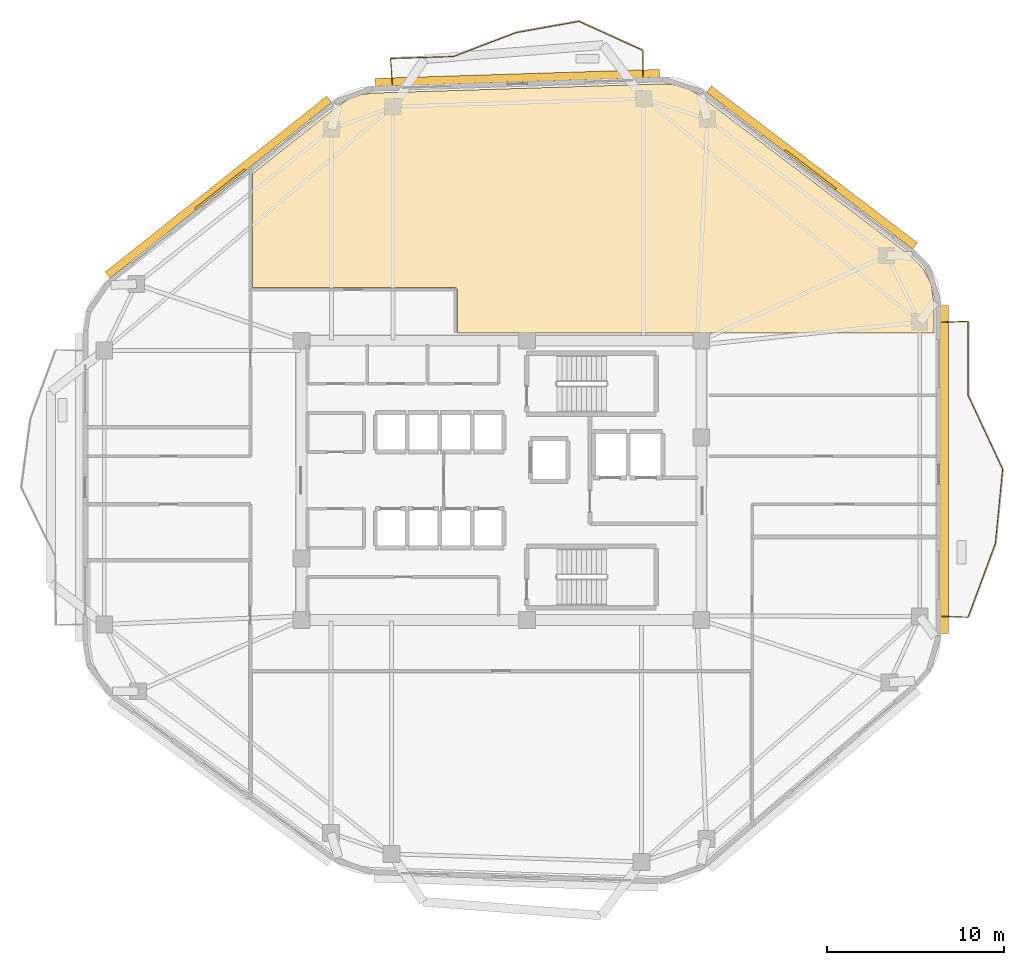
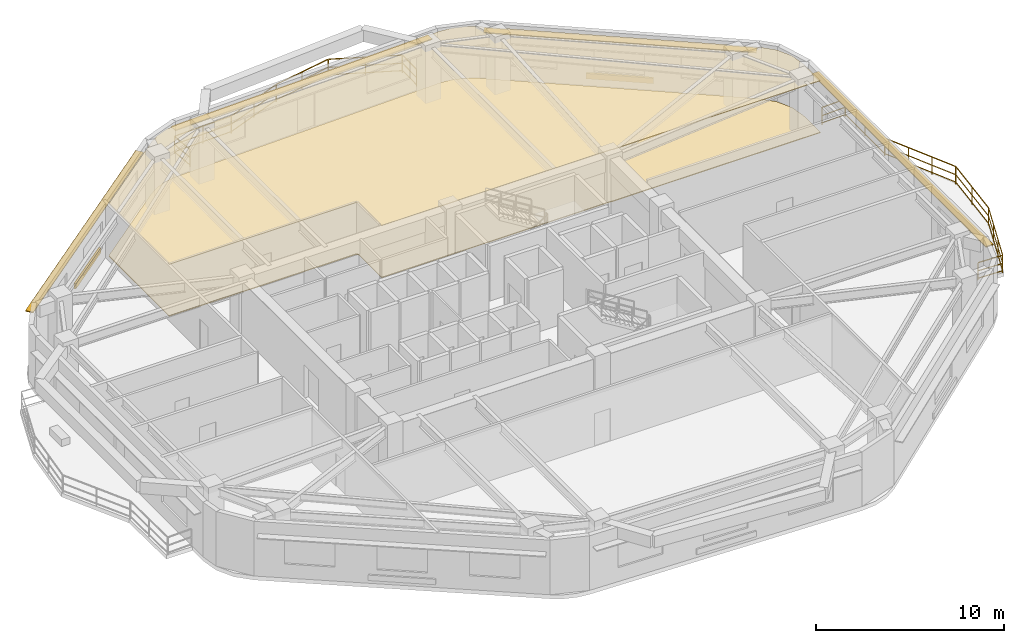
# One storey, part 8 of 8: 12 railings, 6 shading devices, 2 coverings.
"""IFC4 building model written with IfcOpenShell, lengths in metres."""

from ifc_helpers import new_model, si_unit, direction, frame, origin, origin_2d, place, context, subcontext, project, spatial, polyline, rectangle, outline, extrude, material, layer, layer_set, type_object, element, save


model = new_model("IFC4")

# Units and contexts
model_context = context("Model", 3, precision=1e-05, world=origin(), true_north=direction((0.0, 1.0)))
body_context = subcontext(model_context, "Body", "Model", "MODEL_VIEW")
ifc_project = project(units=[si_unit("LENGTHUNIT", "METRE"), si_unit("AREAUNIT", "SQUARE_METRE"), si_unit("VOLUMEUNIT", "CUBIC_METRE"), si_unit("PLANEANGLEUNIT", "RADIAN"), si_unit("MASSUNIT", "GRAM", prefix="KILO")], contexts=[model_context])

# Site, building, storey
site_placement = place(None, origin())
site = spatial("IfcSite", under=ifc_project, at=site_placement, CompositionType="ELEMENT")
building_placement = place(site_placement, origin())
building = spatial("IfcBuilding", under=site, at=building_placement, Name="Zulverin Broadcast Headquarters", CompositionType="ELEMENT")
storey_placement = place(building_placement, frame((0.0, 0.0, 174.39990234375)))
storey = spatial("IfcBuildingStorey", under=building, at=storey_placement, Name="L44", CompositionType="ELEMENT", Elevation=174.39990234375)

# Coverings
ifc_material_1 = material(Name="Perforated pale-metal acoustic baffle ceiling", Category="aluminium")
ifc_layer_1 = layer(ifc_material_1, 0.0400390625, Name="Perforated pale-metal acoustic baffle ceiling", Category="aluminium")
ifc_layer_set_1 = layer_set([ifc_layer_1], Name="Perforated pale-metal acoustic baffle ceiling")
covering_type_1 = type_object("IfcCoveringType", Name="COV-CEIL-ACOU", PredefinedType="CEILING", material=ifc_layer_set_1)
covering_1_placement = place(storey_placement, frame((0.0, 0.0, 3.360107421875)))
element("IfcCovering", 1, at=covering_1_placement, inside=storey, type_object=covering_type_1, Name="L44 Acoustic Baffle Ceiling 01", PredefinedType="CEILING", context=body_context, shape_type="SweptSolid", body=[
    extrude(outline(polyline([(28.39599609375, 46.7080078125), (27.803955078125, 46.33203125), (22.971923828125, 42.5), (22.968017578125, 36.072021484375), (34.360107421875, 36.068115234375), (34.3759765625, 36.068115234375), (34.387939453125, 36.068115234375), (34.39990234375, 36.06396484375), (34.407958984375, 36.06396484375), (34.419921875, 36.06005859375), (34.427978515625, 36.055908203125), (34.43603515625, 36.052001953125), (34.447998046875, 36.0439453125), (34.4599609375, 36.035888671875), (34.468017578125, 36.028076171875), (34.47607421875, 36.02001953125), (34.48388671875, 36.011962890625), (34.491943359375, 36.0), (34.5, 35.988037109375), (34.50390625, 35.97998046875), (34.508056640625, 35.971923828125), (34.511962890625, 35.964111328125), (34.51611328125, 35.951904296875), (34.51611328125, 35.944091796875), (34.52001953125, 35.931884765625), (34.52001953125, 35.919921875), (34.52001953125, 33.52001953125), (48.568115234375, 33.52001953125), (48.580078125, 33.52001953125), (48.592041015625, 33.51611328125), (48.60009765625, 33.51611328125), (48.612060546875, 33.511962890625), (48.6201171875, 33.508056640625), (48.635986328125, 33.5), (61.39990234375, 33.5), (61.39990234375, 35.239990234375), (61.243896484375, 36.236083984375), (60.81201171875, 37.112060546875), (60.112060546875, 37.840087890625), (51.080078125, 44.7119140625), (48.2080078125, 46.89208984375), (47.568115234375, 47.27587890625), (46.8759765625, 47.49609375), (46.1279296875, 47.56005859375), (29.73193359375, 47.0400390625), (29.031982421875, 46.944091796875), (28.39599609375, 46.7080078125)])), origin(), (0.0, 0.0, 1.0), 0.0400390625),
])
ifc_material_2 = material(Name="Anti-static broadcast raised access flooring", Category="stone")
ifc_layer_2 = layer(ifc_material_2, 0.050048828125, Name="Anti-static broadcast raised access flooring", Category="stone")
ifc_layer_set_2 = layer_set([ifc_layer_2], Name="Anti-static broadcast raised access flooring")
covering_type_2 = type_object("IfcCoveringType", Name="COV-FLR-RAISED", PredefinedType="FLOORING", material=ifc_layer_set_2)
covering_2_placement = place(storey_placement, origin())
element("IfcCovering", 2, at=covering_2_placement, inside=storey, type_object=covering_type_2, Name="L44 Broadcast Raised Access Flooring 01", PredefinedType="FLOORING", context=body_context, shape_type="SweptSolid", body=[
    extrude(outline(polyline([(28.39599609375, 46.7080078125), (27.803955078125, 46.33203125), (22.971923828125, 42.5), (22.968017578125, 36.072021484375), (34.360107421875, 36.068115234375), (34.3759765625, 36.068115234375), (34.387939453125, 36.068115234375), (34.39990234375, 36.06396484375), (34.407958984375, 36.06396484375), (34.419921875, 36.06005859375), (34.427978515625, 36.055908203125), (34.43603515625, 36.052001953125), (34.447998046875, 36.0439453125), (34.4599609375, 36.035888671875), (34.468017578125, 36.028076171875), (34.47607421875, 36.02001953125), (34.48388671875, 36.011962890625), (34.491943359375, 36.0), (34.5, 35.988037109375), (34.50390625, 35.97998046875), (34.508056640625, 35.971923828125), (34.511962890625, 35.964111328125), (34.51611328125, 35.951904296875), (34.51611328125, 35.944091796875), (34.52001953125, 35.931884765625), (34.52001953125, 35.919921875), (34.52001953125, 33.52001953125), (48.568115234375, 33.52001953125), (48.580078125, 33.52001953125), (48.592041015625, 33.51611328125), (48.60009765625, 33.51611328125), (48.612060546875, 33.511962890625), (48.6201171875, 33.508056640625), (48.635986328125, 33.5), (61.39990234375, 33.5), (61.39990234375, 35.239990234375), (61.243896484375, 36.236083984375), (60.81201171875, 37.112060546875), (60.112060546875, 37.840087890625), (51.080078125, 44.7119140625), (48.2080078125, 46.89208984375), (47.568115234375, 47.27587890625), (46.8759765625, 47.49609375), (46.1279296875, 47.56005859375), (29.73193359375, 47.0400390625), (29.031982421875, 46.944091796875), (28.39599609375, 46.7080078125)])), origin(), (0.0, 0.0, 1.0), 0.050048828125),
])

# Railings
ifc_material_3 = material(Name="Brushed stainless steel & laminated glass balustrade", Category="steel")
railing_type = type_object("IfcRailingType", Name="RL-GUARD-1150", PredefinedType="GUARDRAIL", material=ifc_material_3)
railing_1_placement = place(storey_placement, frame((61.840087890625, 17.529296875, 0.0)))
element("IfcRailing", 3, at=railing_1_placement, inside=storey, type_object=railing_type, Name="L44 Vertical-Forest Balcony Guardrail BAL_E Segment 01", PredefinedType="GUARDRAIL", context=body_context, shape_type="SweptSolid", body=[
    extrude(rectangle(XDim=0.048095703125, YDim=0.048095703125, at=origin_2d()), frame((0.0, 0.0, 1.1259765625), z_axis=(0.99918088253, -0.040466825742, 0.0), x_axis=(0.040466825742, 0.99918088253, 0.0)), (0.0, 0.0, 1.0), 1.466064453125),
    extrude(rectangle(XDim=0.0419921875, YDim=0.0419921875, at=origin_2d()), frame((0.0, 0.0, 0.597900390625), z_axis=(0.99918088253, -0.040466825742, 0.0), x_axis=(0.040466825742, 0.99918088253, 0.0)), (0.0, 0.0, 1.0), 1.466064453125),
    extrude(rectangle(XDim=0.0419921875, YDim=0.0419921875, at=origin_2d()), frame((0.0, 0.0, 0.1201171875), z_axis=(0.99918088253, -0.040466825742, 0.0), x_axis=(0.040466825742, 0.99918088253, 0.0)), (0.0, 0.0, 1.0), 1.466064453125),
    extrude(rectangle(XDim=0.0419921875, YDim=0.0419921875, at=origin_2d()), origin(), (0.0, 0.0, 1.0), 1.101806640625),
    extrude(rectangle(XDim=0.0419921875, YDim=0.0419921875, at=origin_2d()), frame((1.46484375, -0.059326171875, 0.0)), (0.0, 0.0, 1.0), 1.101806640625),
])
railing_2_placement = place(storey_placement, frame((63.3251953125, 17.4833984375, 0.0)))
element("IfcRailing", 4, at=railing_2_placement, inside=storey, type_object=railing_type, Name="L44 Vertical-Forest Balcony Guardrail BAL_E Segment 02", PredefinedType="GUARDRAIL", context=body_context, shape_type="SweptSolid", body=[
    extrude(rectangle(XDim=0.048095703125, YDim=0.048095703125, at=origin_2d()), frame((0.0, 0.0, 1.1259765625), z_axis=(0.346902523499, 0.937901188394, 0.0), x_axis=(-0.937901188394, 0.346902523499, 0.0)), (0.0, 0.0, 1.0), 4.421875),
    extrude(rectangle(XDim=0.0419921875, YDim=0.0419921875, at=origin_2d()), frame((0.0, 0.0, 0.597900390625), z_axis=(0.346902523499, 0.937901188394, 0.0), x_axis=(-0.937901188394, 0.346902523499, 0.0)), (0.0, 0.0, 1.0), 4.421875),
    extrude(rectangle(XDim=0.0419921875, YDim=0.0419921875, at=origin_2d()), frame((0.0, 0.0, 0.1201171875), z_axis=(0.346902523499, 0.937901188394, 0.0), x_axis=(-0.937901188394, 0.346902523499, 0.0)), (0.0, 0.0, 1.0), 4.421875),
    extrude(rectangle(XDim=0.0419921875, YDim=0.0419921875, at=origin_2d()), origin(), (0.0, 0.0, 1.0), 1.101806640625),
    extrude(rectangle(XDim=0.0419921875, YDim=0.0419921875, at=origin_2d()), frame((0.51123046875, 1.38232421875, 0.0)), (0.0, 0.0, 1.0), 1.101806640625),
    extrude(rectangle(XDim=0.0419921875, YDim=0.0419921875, at=origin_2d()), frame((1.022705078125, 2.764892578125, 0.0)), (0.0, 0.0, 1.0), 1.101806640625),
    extrude(rectangle(XDim=0.0419921875, YDim=0.0419921875, at=origin_2d()), frame((1.533935546875, 4.147216796875, 0.0)), (0.0, 0.0, 1.0), 1.101806640625),
])
railing_3_placement = place(storey_placement, frame((64.86572265625, 21.65966796875, 0.0)))
element("IfcRailing", 5, at=railing_3_placement, inside=storey, type_object=railing_type, Name="L44 Vertical-Forest Balcony Guardrail BAL_E Segment 03", PredefinedType="GUARDRAIL", context=body_context, shape_type="SweptSolid", body=[
    extrude(rectangle(XDim=0.048095703125, YDim=0.048095703125, at=origin_2d()), frame((0.0, 0.0, 1.1259765625), z_axis=(0.096711941709, 0.995312413432, 0.0), x_axis=(-0.995312413432, 0.096711941709, 0.0)), (0.0, 0.0, 1.0), 4.165283203125),
    extrude(rectangle(XDim=0.0419921875, YDim=0.0419921875, at=origin_2d()), frame((0.0, 0.0, 0.597900390625), z_axis=(0.096711941709, 0.995312413432, 0.0), x_axis=(-0.995312413432, 0.096711941709, 0.0)), (0.0, 0.0, 1.0), 4.165283203125),
    extrude(rectangle(XDim=0.0419921875, YDim=0.0419921875, at=origin_2d()), frame((0.0, 0.0, 0.1201171875), z_axis=(0.096711941709, 0.995312413432, 0.0), x_axis=(-0.995312413432, 0.096711941709, 0.0)), (0.0, 0.0, 1.0), 4.165283203125),
    extrude(rectangle(XDim=0.0419921875, YDim=0.0419921875, at=origin_2d()), origin(), (0.0, 0.0, 1.0), 1.101806640625),
    extrude(rectangle(XDim=0.0419921875, YDim=0.0419921875, at=origin_2d()), frame((0.201416015625, 2.07275390625, 0.0)), (0.0, 0.0, 1.0), 1.101806640625),
    extrude(rectangle(XDim=0.0419921875, YDim=0.0419921875, at=origin_2d()), frame((0.40283203125, 4.145751953125, 0.0)), (0.0, 0.0, 1.0), 1.101806640625),
])
railing_4_placement = place(storey_placement, frame((65.263671875, 25.833984375, 0.0)))
element("IfcRailing", 6, at=railing_4_placement, inside=storey, type_object=railing_type, Name="L44 Vertical-Forest Balcony Guardrail BAL_E Segment 04", PredefinedType="GUARDRAIL", context=body_context, shape_type="SweptSolid", body=[
    extrude(rectangle(XDim=0.048095703125, YDim=0.048095703125, at=origin_2d()), frame((0.0, 0.0, 1.1259765625), z_axis=(-0.423121903643, 0.906072764549, 0.0), x_axis=(-0.906072764549, -0.423121903643, 0.0)), (0.0, 0.0, 1.0), 4.578369140625),
    extrude(rectangle(XDim=0.0419921875, YDim=0.0419921875, at=origin_2d()), frame((0.0, 0.0, 0.597900390625), z_axis=(-0.423121903643, 0.906072764549, 0.0), x_axis=(-0.906072764549, -0.423121903643, 0.0)), (0.0, 0.0, 1.0), 4.578369140625),
    extrude(rectangle(XDim=0.0419921875, YDim=0.0419921875, at=origin_2d()), frame((0.0, 0.0, 0.1201171875), z_axis=(-0.423121903643, 0.906072764549, 0.0), x_axis=(-0.906072764549, -0.423121903643, 0.0)), (0.0, 0.0, 1.0), 4.578369140625),
    extrude(rectangle(XDim=0.0419921875, YDim=0.0419921875, at=origin_2d()), origin(), (0.0, 0.0, 1.0), 1.101806640625),
    extrude(rectangle(XDim=0.0419921875, YDim=0.0419921875, at=origin_2d()), frame((-0.645751953125, 1.3828125, 0.0)), (0.0, 0.0, 1.0), 1.101806640625),
    extrude(rectangle(XDim=0.0419921875, YDim=0.0419921875, at=origin_2d()), frame((-1.29150390625, 2.765625, 0.0)), (0.0, 0.0, 1.0), 1.101806640625),
    extrude(rectangle(XDim=0.0419921875, YDim=0.0419921875, at=origin_2d()), frame((-1.937255859375, 4.1484375, 0.0)), (0.0, 0.0, 1.0), 1.101806640625),
])
railing_5_placement = place(storey_placement, frame((63.320068359375, 30.010986328125, 0.0)))
element("IfcRailing", 7, at=railing_5_placement, inside=storey, type_object=railing_type, Name="L44 Vertical-Forest Balcony Guardrail BAL_E Segment 05", PredefinedType="GUARDRAIL", context=body_context, shape_type="SweptSolid", body=[
    extrude(rectangle(XDim=0.048095703125, YDim=0.048095703125, at=origin_2d()), frame((0.0, 0.0, 1.1259765625), z_axis=(0.0, 1.0, 0.0), x_axis=(-1.0, 0.0, 0.0)), (0.0, 0.0, 1.0), 4.1455078125),
    extrude(rectangle(XDim=0.0419921875, YDim=0.0419921875, at=origin_2d()), frame((0.0, 0.0, 0.597900390625), z_axis=(0.0, 1.0, 0.0), x_axis=(-1.0, 0.0, 0.0)), (0.0, 0.0, 1.0), 4.1455078125),
    extrude(rectangle(XDim=0.0419921875, YDim=0.0419921875, at=origin_2d()), frame((0.0, 0.0, 0.1201171875), z_axis=(0.0, 1.0, 0.0), x_axis=(-1.0, 0.0, 0.0)), (0.0, 0.0, 1.0), 4.1455078125),
    extrude(rectangle(XDim=0.0419921875, YDim=0.0419921875, at=origin_2d()), origin(), (0.0, 0.0, 1.0), 1.101806640625),
    extrude(rectangle(XDim=0.0419921875, YDim=0.0419921875, at=origin_2d()), frame((0.0, 2.07275390625, 0.0)), (0.0, 0.0, 1.0), 1.101806640625),
    extrude(rectangle(XDim=0.0419921875, YDim=0.0419921875, at=origin_2d()), frame((0.0, 4.1455078125, 0.0)), (0.0, 0.0, 1.0), 1.101806640625),
])
railing_6_placement = place(storey_placement, frame((63.304931640625, 34.1708984375, 0.0)))
element("IfcRailing", 8, at=railing_6_placement, inside=storey, type_object=railing_type, Name="L44 Vertical-Forest Balcony Guardrail BAL_E Segment 06", PredefinedType="GUARDRAIL", context=body_context, shape_type="SweptSolid", body=[
    extrude(rectangle(XDim=0.048095703125, YDim=0.048095703125, at=origin_2d()), frame((0.0, 0.0, 1.1259765625), z_axis=(-0.99918088253, -0.040466825742, 0.0), x_axis=(0.040466825742, -0.99918088253, 0.0)), (0.0, 0.0, 1.0), 1.466064453125),
    extrude(rectangle(XDim=0.0419921875, YDim=0.0419921875, at=origin_2d()), frame((0.0, 0.0, 0.597900390625), z_axis=(-0.99918088253, -0.040466825742, 0.0), x_axis=(0.040466825742, -0.99918088253, 0.0)), (0.0, 0.0, 1.0), 1.466064453125),
    extrude(rectangle(XDim=0.0419921875, YDim=0.0419921875, at=origin_2d()), frame((0.0, 0.0, 0.1201171875), z_axis=(-0.99918088253, -0.040466825742, 0.0), x_axis=(0.040466825742, -0.99918088253, 0.0)), (0.0, 0.0, 1.0), 1.466064453125),
    extrude(rectangle(XDim=0.0419921875, YDim=0.0419921875, at=origin_2d()), origin(), (0.0, 0.0, 1.0), 1.101806640625),
    extrude(rectangle(XDim=0.0419921875, YDim=0.0419921875, at=origin_2d()), frame((-1.46484375, -0.059326171875, 0.0)), (0.0, 0.0, 1.0), 1.101806640625),
])
railing_7_placement = place(storey_placement, frame((44.978271484375, 47.962646484375, 0.0)))
element("IfcRailing", 9, at=railing_7_placement, inside=storey, type_object=railing_type, Name="L44 Vertical-Forest Balcony Guardrail BAL_N Segment 01", PredefinedType="GUARDRAIL", context=body_context, shape_type="SweptSolid", body=[
    extrude(rectangle(XDim=0.048095703125, YDim=0.048095703125, at=origin_2d()), frame((0.0, 0.0, 1.1259765625), z_axis=(0.008825634609, 0.999961053328, 0.0), x_axis=(-0.999961053328, 0.008825634609, 0.0)), (0.0, 0.0, 1.0), 1.466064453125),
    extrude(rectangle(XDim=0.0419921875, YDim=0.0419921875, at=origin_2d()), frame((0.0, 0.0, 0.597900390625), z_axis=(0.008825634609, 0.999961053328, 0.0), x_axis=(-0.999961053328, 0.008825634609, 0.0)), (0.0, 0.0, 1.0), 1.466064453125),
    extrude(rectangle(XDim=0.0419921875, YDim=0.0419921875, at=origin_2d()), frame((0.0, 0.0, 0.1201171875), z_axis=(0.008825634609, 0.999961053328, 0.0), x_axis=(-0.999961053328, 0.008825634609, 0.0)), (0.0, 0.0, 1.0), 1.466064453125),
    extrude(rectangle(XDim=0.0419921875, YDim=0.0419921875, at=origin_2d()), origin(), (0.0, 0.0, 1.0), 1.101806640625),
    extrude(rectangle(XDim=0.0419921875, YDim=0.0419921875, at=origin_2d()), frame((0.012939453125, 1.466064453125, 0.0)), (0.0, 0.0, 1.0), 1.101806640625),
])
railing_8_placement = place(storey_placement, frame((44.9775390625, 49.449951171875, 0.0)))
element("IfcRailing", 10, at=railing_8_placement, inside=storey, type_object=railing_type, Name="L44 Vertical-Forest Balcony Guardrail BAL_N Segment 02", PredefinedType="GUARDRAIL", context=body_context, shape_type="SweptSolid", body=[
    extrude(rectangle(XDim=0.048095703125, YDim=0.048095703125, at=origin_2d()), frame((0.0, 0.0, 1.1259765625), z_axis=(-0.910743694434, 0.412972060858, 0.0), x_axis=(-0.412972060858, -0.910743694434, 0.0)), (0.0, 0.0, 1.0), 3.94140625),
    extrude(rectangle(XDim=0.0419921875, YDim=0.0419921875, at=origin_2d()), frame((0.0, 0.0, 0.597900390625), z_axis=(-0.910743694434, 0.412972060858, 0.0), x_axis=(-0.412972060858, -0.910743694434, 0.0)), (0.0, 0.0, 1.0), 3.94140625),
    extrude(rectangle(XDim=0.0419921875, YDim=0.0419921875, at=origin_2d()), frame((0.0, 0.0, 0.1201171875), z_axis=(-0.910743694434, 0.412972060858, 0.0), x_axis=(-0.412972060858, -0.910743694434, 0.0)), (0.0, 0.0, 1.0), 3.94140625),
    extrude(rectangle(XDim=0.0419921875, YDim=0.0419921875, at=origin_2d()), origin(), (0.0, 0.0, 1.0), 1.101806640625),
    extrude(rectangle(XDim=0.0419921875, YDim=0.0419921875, at=origin_2d()), frame((-1.794921875, 0.81396484375, 0.0)), (0.0, 0.0, 1.0), 1.101806640625),
    extrude(rectangle(XDim=0.0419921875, YDim=0.0419921875, at=origin_2d()), frame((-3.589599609375, 1.627685546875, 0.0)), (0.0, 0.0, 1.0), 1.101806640625),
])
railing_9_placement = place(storey_placement, frame((41.359619140625, 51.081298828125, 0.0)))
element("IfcRailing", 11, at=railing_9_placement, inside=storey, type_object=railing_type, Name="L44 Vertical-Forest Balcony Guardrail BAL_N Segment 03", PredefinedType="GUARDRAIL", context=body_context, shape_type="SweptSolid", body=[
    extrude(rectangle(XDim=0.048095703125, YDim=0.048095703125, at=origin_2d()), frame((0.0, 0.0, 1.1259765625), z_axis=(-0.984238578002, -0.176845756445, 0.0), x_axis=(0.176845756445, -0.984238578002, 0.0)), (0.0, 0.0, 1.0), 3.571533203125),
    extrude(rectangle(XDim=0.0419921875, YDim=0.0419921875, at=origin_2d()), frame((0.0, 0.0, 0.597900390625), z_axis=(-0.984238578002, -0.176845756445, 0.0), x_axis=(0.176845756445, -0.984238578002, 0.0)), (0.0, 0.0, 1.0), 3.571533203125),
    extrude(rectangle(XDim=0.0419921875, YDim=0.0419921875, at=origin_2d()), frame((0.0, 0.0, 0.1201171875), z_axis=(-0.984238578002, -0.176845756445, 0.0), x_axis=(0.176845756445, -0.984238578002, 0.0)), (0.0, 0.0, 1.0), 3.571533203125),
    extrude(rectangle(XDim=0.0419921875, YDim=0.0419921875, at=origin_2d()), origin(), (0.0, 0.0, 1.0), 1.101806640625),
    extrude(rectangle(XDim=0.0419921875, YDim=0.0419921875, at=origin_2d()), frame((-1.757568359375, -0.31591796875, 0.0)), (0.0, 0.0, 1.0), 1.101806640625),
    extrude(rectangle(XDim=0.0419921875, YDim=0.0419921875, at=origin_2d()), frame((-3.51513671875, -0.631591796875, 0.0)), (0.0, 0.0, 1.0), 1.101806640625),
])
railing_10_placement = place(storey_placement, frame((37.815673828125, 50.44189453125, 0.0)))
element("IfcRailing", 12, at=railing_10_placement, inside=storey, type_object=railing_type, Name="L44 Vertical-Forest Balcony Guardrail BAL_N Segment 04", PredefinedType="GUARDRAIL", context=body_context, shape_type="SweptSolid", body=[
    extrude(rectangle(XDim=0.048095703125, YDim=0.048095703125, at=origin_2d()), frame((0.0, 0.0, 1.1259765625), z_axis=(-0.934434978955, -0.356133781192, 0.0), x_axis=(0.356133781192, -0.934434978955, 0.0)), (0.0, 0.0, 1.0), 3.739501953125),
    extrude(rectangle(XDim=0.0419921875, YDim=0.0419921875, at=origin_2d()), frame((0.0, 0.0, 0.597900390625), z_axis=(-0.934434978955, -0.356133781192, 0.0), x_axis=(0.356133781192, -0.934434978955, 0.0)), (0.0, 0.0, 1.0), 3.739501953125),
    extrude(rectangle(XDim=0.0419921875, YDim=0.0419921875, at=origin_2d()), frame((0.0, 0.0, 0.1201171875), z_axis=(-0.934434978955, -0.356133781192, 0.0), x_axis=(0.356133781192, -0.934434978955, 0.0)), (0.0, 0.0, 1.0), 3.739501953125),
    extrude(rectangle(XDim=0.0419921875, YDim=0.0419921875, at=origin_2d()), origin(), (0.0, 0.0, 1.0), 1.101806640625),
    extrude(rectangle(XDim=0.0419921875, YDim=0.0419921875, at=origin_2d()), frame((-1.7470703125, -0.666015625, 0.0)), (0.0, 0.0, 1.0), 1.101806640625),
    extrude(rectangle(XDim=0.0419921875, YDim=0.0419921875, at=origin_2d()), frame((-3.494384765625, -1.331787109375, 0.0)), (0.0, 0.0, 1.0), 1.101806640625),
])
railing_11_placement = place(storey_placement, frame((34.292236328125, 49.1044921875, 0.0)))
element("IfcRailing", 13, at=railing_11_placement, inside=storey, type_object=railing_type, Name="L44 Vertical-Forest Balcony Guardrail BAL_N Segment 05", PredefinedType="GUARDRAIL", context=body_context, shape_type="SweptSolid", body=[
    extrude(rectangle(XDim=0.048095703125, YDim=0.048095703125, at=origin_2d()), frame((0.0, 0.0, 1.1259765625), z_axis=(-0.999496857869, -0.031717993485, 0.0), x_axis=(0.031717993485, -0.999496857869, 0.0)), (0.0, 0.0, 1.0), 3.532958984375),
    extrude(rectangle(XDim=0.0419921875, YDim=0.0419921875, at=origin_2d()), frame((0.0, 0.0, 0.597900390625), z_axis=(-0.999496857869, -0.031717993485, 0.0), x_axis=(0.031717993485, -0.999496857869, 0.0)), (0.0, 0.0, 1.0), 3.532958984375),
    extrude(rectangle(XDim=0.0419921875, YDim=0.0419921875, at=origin_2d()), frame((0.0, 0.0, 0.1201171875), z_axis=(-0.999496857869, -0.031717993485, 0.0), x_axis=(0.031717993485, -0.999496857869, 0.0)), (0.0, 0.0, 1.0), 3.532958984375),
    extrude(rectangle(XDim=0.0419921875, YDim=0.0419921875, at=origin_2d()), origin(), (0.0, 0.0, 1.0), 1.101806640625),
    extrude(rectangle(XDim=0.0419921875, YDim=0.0419921875, at=origin_2d()), frame((-1.765625, -0.05615234375, 0.0)), (0.0, 0.0, 1.0), 1.101806640625),
    extrude(rectangle(XDim=0.0419921875, YDim=0.0419921875, at=origin_2d()), frame((-3.53125, -0.112060546875, 0.0)), (0.0, 0.0, 1.0), 1.101806640625),
])
railing_12_placement = place(storey_placement, frame((30.7470703125, 48.976806640625, 0.0)))
element("IfcRailing", 14, at=railing_12_placement, inside=storey, type_object=railing_type, Name="L44 Vertical-Forest Balcony Guardrail BAL_N Segment 06", PredefinedType="GUARDRAIL", context=body_context, shape_type="SweptSolid", body=[
    extrude(rectangle(XDim=0.048095703125, YDim=0.048095703125, at=origin_2d()), frame((0.0, 0.0, 1.1259765625), z_axis=(0.072110992432, -0.997396613575, 0.0), x_axis=(0.997396613575, 0.072110992432, 0.0)), (0.0, 0.0, 1.0), 1.466064453125),
    extrude(rectangle(XDim=0.0419921875, YDim=0.0419921875, at=origin_2d()), frame((0.0, 0.0, 0.597900390625), z_axis=(0.072110992432, -0.997396613575, 0.0), x_axis=(0.997396613575, 0.072110992432, 0.0)), (0.0, 0.0, 1.0), 1.466064453125),
    extrude(rectangle(XDim=0.0419921875, YDim=0.0419921875, at=origin_2d()), frame((0.0, 0.0, 0.1201171875), z_axis=(0.072110992432, -0.997396613575, 0.0), x_axis=(0.997396613575, 0.072110992432, 0.0)), (0.0, 0.0, 1.0), 1.466064453125),
    extrude(rectangle(XDim=0.0419921875, YDim=0.0419921875, at=origin_2d()), origin(), (0.0, 0.0, 1.0), 1.101806640625),
    extrude(rectangle(XDim=0.0419921875, YDim=0.0419921875, at=origin_2d()), frame((0.105712890625, -1.462158203125, 0.0)), (0.0, 0.0, 1.0), 1.101806640625),
])

# Shading devices
ifc_material_4 = material(Name="Anodized pale-metal aluminium acoustic louvre", Category="aluminium")
shading_device_type_1 = type_object("IfcShadingDeviceType", Name="SHD-LOUVRE-350", PredefinedType="USERDEFINED", material=ifc_material_4)
for number, where, z_axis, x_axis, name in (
    (15, (54.4306640625, 42.713134765625, 0.2451171875), (0.0, 0.0, 1.0), (-0.795836111996, 0.605512083152, 0.0), "L44 Spandrel Intake Louvre 4"),
    (16, (21.1416015625, 41.607421875, 0.2451171875), (0.0, 0.0, 1.0), (-0.783270473924, -0.621681079556, 0.0), "L44 Spandrel Intake Louvre 6"),
):
    element("IfcShadingDevice", number, at=place(storey_placement, frame(where, z_axis=z_axis, x_axis=x_axis)), inside=storey, type_object=shading_device_type_1, Name=name, ObjectType="LOUVRE", PredefinedType="USERDEFINED", context=body_context, shape_type="SweptSolid", body=[
        extrude(rectangle(XDim=3.60009765625, YDim=0.1201171875, at=origin_2d()), origin(), (0.0, 0.0, 1.0), 0.35009765625),
    ])
ifc_material_5 = material(Name="Anodized pale-metal aluminium sunshade", Category="aluminium")
ifc_layer_3 = layer(ifc_material_5, 0.06005859375, Name="Anodized pale-metal aluminium sunshade", Category="aluminium")
ifc_layer_set_3 = layer_set([ifc_layer_3], Name="Anodized pale-metal aluminium sunshade")
shading_device_type_2 = type_object("IfcShadingDeviceType", Name="SS-01_PALE_METAL_ALUMINIUM_SUNSHADE", PredefinedType="USERDEFINED", material=ifc_layer_set_3)
shading_device_1_placement = place(storey_placement, frame((62.0, 25.8203125, 2.7099609375), z_axis=(0.0, 0.0, 1.0), x_axis=(0.0, 1.0, 0.0)))
element("IfcShadingDevice", 17, at=shading_device_1_placement, inside=storey, type_object=shading_device_type_2, Name="L44 Horizontal Pale-Metal Sunshade Band 3", ObjectType="SUNSHADE", PredefinedType="USERDEFINED", context=body_context, shape_type="SweptSolid", body=[
    extrude(rectangle(XDim=18.502197265625, YDim=0.449951171875, at=origin_2d()), origin(), (0.0, 0.0, 1.0), 0.06005859375),
])
shading_device_2_placement = place(storey_placement, frame((54.527587890625, 42.840576171875, 2.7099609375), z_axis=(0.0, 0.0, 1.0), x_axis=(-0.795836111996, 0.605512083152, 0.0)))
element("IfcShadingDevice", 18, at=shading_device_2_placement, inside=storey, type_object=shading_device_type_2, Name="L44 Horizontal Pale-Metal Sunshade Band 4", ObjectType="SUNSHADE", PredefinedType="USERDEFINED", context=body_context, shape_type="SweptSolid", body=[
    extrude(rectangle(XDim=14.61181640625, YDim=0.449951171875, at=origin_2d()), origin(), (0.0, 0.0, 1.0), 0.06005859375),
])
shading_device_3_placement = place(storey_placement, frame((37.910400390625, 47.8984375, 2.7099609375), z_axis=(0.0, 0.0, 1.0), x_axis=(-0.999497141269, -0.031709061709, 0.0)))
element("IfcShadingDevice", 19, at=shading_device_3_placement, inside=storey, type_object=shading_device_type_2, Name="L44 Horizontal Pale-Metal Sunshade Band 5", ObjectType="SUNSHADE", PredefinedType="USERDEFINED", context=body_context, shape_type="SweptSolid", body=[
    extrude(rectangle(XDim=16.052490234375, YDim=0.449951171875, at=origin_2d()), origin(), (0.0, 0.0, 1.0), 0.06005859375),
])
shading_device_4_placement = place(storey_placement, frame((21.0419921875, 41.73291015625, 2.7099609375), z_axis=(0.0, 0.0, 1.0), x_axis=(-0.783270473924, -0.621681079556, 0.0)))
element("IfcShadingDevice", 20, at=shading_device_4_placement, inside=storey, type_object=shading_device_type_2, Name="L44 Horizontal Pale-Metal Sunshade Band 6", ObjectType="SUNSHADE", PredefinedType="USERDEFINED", context=body_context, shape_type="SweptSolid", body=[
    extrude(rectangle(XDim=15.953125, YDim=0.449951171875, at=origin_2d()), origin(), (0.0, 0.0, 1.0), 0.06005859375),
])

save(model, "model.ifc")
